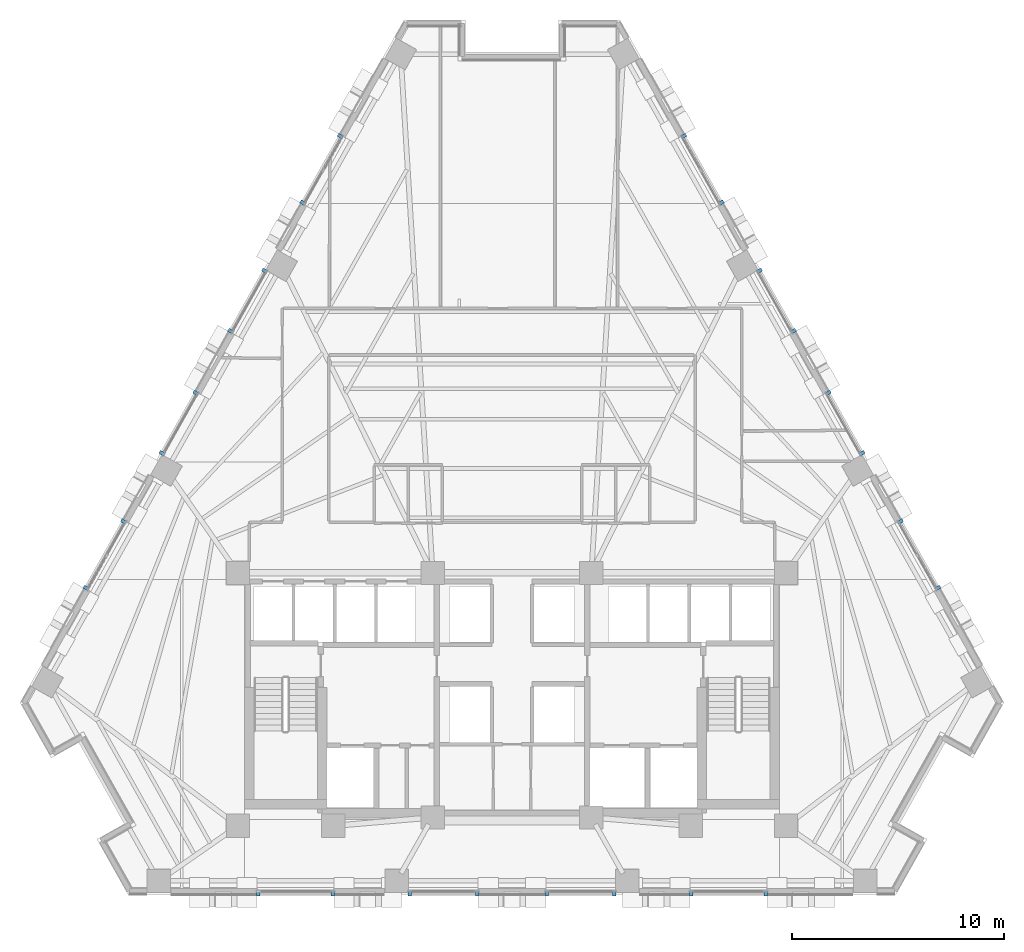
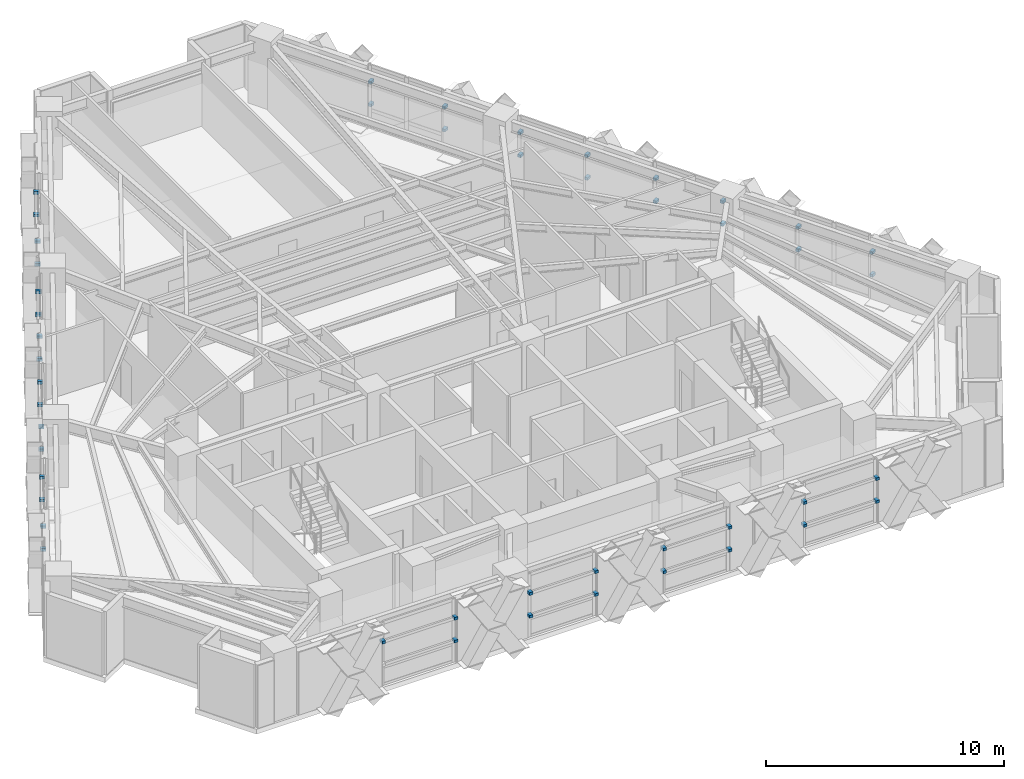
# One storey, part 10 of 14: 47 discrete accessories.
"""IFC4 building model written with IfcOpenShell, lengths in metres."""

from ifc_helpers import new_model, si_unit, direction, frame, origin, origin_2d, place, context, subcontext, project, spatial, rectangle, extrude, material, type_object, element, save


model = new_model("IFC4")

# Units and contexts
model_context = context("Model", 3, precision=1e-05, world=origin(), true_north=direction((0.0, 1.0)))
body_context = subcontext(model_context, "Body", "Model", "MODEL_VIEW")
ifc_project = project(units=[si_unit("LENGTHUNIT", "METRE"), si_unit("AREAUNIT", "SQUARE_METRE"), si_unit("VOLUMEUNIT", "CUBIC_METRE"), si_unit("PLANEANGLEUNIT", "RADIAN"), si_unit("MASSUNIT", "GRAM", prefix="KILO")], contexts=[model_context])

# Site, building, storey
site_placement = place(None, origin())
site = spatial("IfcSite", under=ifc_project, at=site_placement, CompositionType="ELEMENT")
building_placement = place(site_placement, origin())
building = spatial("IfcBuilding", under=site, at=building_placement, Name="Quenlor Broadcast Tower", CompositionType="ELEMENT")
storey_placement = place(building_placement, frame((0.0, 0.0, 80.10009765625)))
storey = spatial("IfcBuildingStorey", under=building, at=storey_placement, Name="L21", CompositionType="ELEMENT", Elevation=80.10009765625)

# Discrete accessories
ifc_material = material(Name="Aluminium 6063-T6", Category="aluminium")
discrete_accessory_type = type_object("IfcDiscreteAccessoryType", Name="Stainless Mullion Baguette Support Bracket", PredefinedType="BRACKET", material=ifc_material)
for number, where, z_axis, x_axis, name in (
    (1, (11.981689453125, -19.93994140625, 1.10009765625), (0.0, 0.0, 1.0), (-1.0, 0.0, 0.0), "L21 Baguette Mullion Bracket 1.1"),
    (2, (8.47119140625, -19.93994140625, 1.10009765625), (0.0, 0.0, 1.0), (-1.0, 0.0, 0.0), "L21 Baguette Mullion Bracket 1.2"),
    (3, (11.981689453125, -19.93994140625, 2.27001953125), (0.0, 0.0, 1.0), (-1.0, 0.0, 0.0), "L21 Baguette Mullion Bracket 2.1"),
    (4, (8.47119140625, -19.93994140625, 2.27001953125), (0.0, 0.0, 1.0), (-1.0, 0.0, 0.0), "L21 Baguette Mullion Bracket 2.2"),
    (5, (-8.47119140625, -19.93994140625, 1.10009765625), (0.0, 0.0, 1.0), (-1.0, 0.0, 0.0), "L21 Baguette Mullion Bracket 1.1"),
    (6, (-8.47119140625, -19.93994140625, 2.27001953125), (0.0, 0.0, 1.0), (-1.0, 0.0, 0.0), "L21 Baguette Mullion Bracket 2.1"),
    (7, (-11.981689453125, -19.93994140625, 2.27001953125), (0.0, 0.0, 1.0), (-1.0, 0.0, 0.0), "L21 Baguette Mullion Bracket 2.2"),
    (8, (4.835693359375, -19.93994140625, 1.10009765625), (0.0, 0.0, 1.0), (-1.0, 0.0, 0.0), "L21 Baguette Mullion Bracket 1.1"),
    (9, (1.653564453125, -19.93994140625, 1.10009765625), (0.0, 0.0, 1.0), (-1.0, 0.0, 0.0), "L21 Baguette Mullion Bracket 1.2"),
    (10, (4.835693359375, -19.93994140625, 2.27001953125), (0.0, 0.0, 1.0), (-1.0, 0.0, 0.0), "L21 Baguette Mullion Bracket 2.1"),
    (11, (1.653564453125, -19.93994140625, 2.27001953125), (0.0, 0.0, 1.0), (-1.0, 0.0, 0.0), "L21 Baguette Mullion Bracket 2.2"),
    (12, (-1.653564453125, -19.93994140625, 1.10009765625), (0.0, 0.0, 1.0), (-1.0, 0.0, 0.0), "L21 Baguette Mullion Bracket 1.1"),
    (13, (-4.835693359375, -19.93994140625, 1.10009765625), (0.0, 0.0, 1.0), (-1.0, 0.0, 0.0), "L21 Baguette Mullion Bracket 1.2"),
    (14, (-1.653564453125, -19.93994140625, 2.27001953125), (0.0, 0.0, 1.0), (-1.0, 0.0, 0.0), "L21 Baguette Mullion Bracket 2.1"),
    (15, (-4.835693359375, -19.93994140625, 2.27001953125), (0.0, 0.0, 1.0), (-1.0, 0.0, 0.0), "L21 Baguette Mullion Bracket 2.2"),
    (16, (8.1181640625, 15.84521484375, 1.10009765625), (0.0, 0.0, 1.0), (0.490264988701, -0.871573428263, 0.0), "L21 Baguette Mullion Bracket 1.1"),
    (17, (9.887939453125, 12.698974609375, 1.10009765625), (0.0, 0.0, 1.0), (0.490264988701, -0.871573428263, 0.0), "L21 Baguette Mullion Bracket 1.2"),
    (18, (8.1181640625, 15.84521484375, 2.27001953125), (0.0, 0.0, 1.0), (0.490264988701, -0.871573428263, 0.0), "L21 Baguette Mullion Bracket 2.1"),
    (19, (9.887939453125, 12.698974609375, 2.27001953125), (0.0, 0.0, 1.0), (0.490264988701, -0.871573428263, 0.0), "L21 Baguette Mullion Bracket 2.2"),
    (20, (18.357421875, -2.35791015625, 1.10009765625), (0.0, 0.0, 1.0), (0.490277158114, -0.871566582787, 0.0), "L21 Baguette Mullion Bracket 1.1"),
    (21, (20.127197265625, -5.504150390625, 1.10009765625), (0.0, 0.0, 1.0), (0.490277158114, -0.871566582787, 0.0), "L21 Baguette Mullion Bracket 1.2"),
    (22, (18.357421875, -2.35791015625, 2.27001953125), (0.0, 0.0, 1.0), (0.490277158114, -0.871566582787, 0.0), "L21 Baguette Mullion Bracket 2.1"),
    (23, (20.127197265625, -5.504150390625, 2.27001953125), (0.0, 0.0, 1.0), (0.490277158114, -0.871566582787, 0.0), "L21 Baguette Mullion Bracket 2.2"),
    (24, (11.69873046875, 9.4794921875, 1.10009765625), (0.0, 0.0, 1.0), (0.490261946333, -0.871575139605, 0.0), "L21 Baguette Mullion Bracket 1.1"),
    (25, (13.301025390625, 6.63134765625, 1.10009765625), (0.0, 0.0, 1.0), (0.490261946333, -0.871575139605, 0.0), "L21 Baguette Mullion Bracket 1.2"),
    (26, (11.69873046875, 9.4794921875, 2.27001953125), (0.0, 0.0, 1.0), (0.490261946333, -0.871575139605, 0.0), "L21 Baguette Mullion Bracket 2.1"),
    (27, (13.301025390625, 6.63134765625, 2.27001953125), (0.0, 0.0, 1.0), (0.490261946333, -0.871575139605, 0.0), "L21 Baguette Mullion Bracket 2.2"),
    (28, (14.9443359375, 3.7099609375, 1.10009765625), (0.0, 0.0, 1.0), (0.490261946333, -0.871575139605, 0.0), "L21 Baguette Mullion Bracket 1.1"),
    (29, (16.54638671875, 0.86181640625, 1.10009765625), (0.0, 0.0, 1.0), (0.490261946333, -0.871575139605, 0.0), "L21 Baguette Mullion Bracket 1.2"),
    (30, (14.9443359375, 3.7099609375, 2.27001953125), (0.0, 0.0, 1.0), (0.490261946333, -0.871575139605, 0.0), "L21 Baguette Mullion Bracket 2.1"),
    (31, (16.54638671875, 0.86181640625, 2.27001953125), (0.0, 0.0, 1.0), (0.490261946333, -0.871575139605, 0.0), "L21 Baguette Mullion Bracket 2.2"),
    (32, (-20.127197265625, -5.504150390625, 1.10009765625), (0.0, 0.0, 1.0), (0.490277158114, 0.871566582787, 0.0), "L21 Baguette Mullion Bracket 1.1"),
    (33, (-18.357421875, -2.35791015625, 1.10009765625), (0.0, 0.0, 1.0), (0.490277158114, 0.871566582787, 0.0), "L21 Baguette Mullion Bracket 1.2"),
    (34, (-20.127197265625, -5.504150390625, 2.27001953125), (0.0, 0.0, 1.0), (0.490277158114, 0.871566582787, 0.0), "L21 Baguette Mullion Bracket 2.1"),
    (35, (-18.357421875, -2.35791015625, 2.27001953125), (0.0, 0.0, 1.0), (0.490277158114, 0.871566582787, 0.0), "L21 Baguette Mullion Bracket 2.2"),
    (36, (-9.887939453125, 12.698974609375, 1.10009765625), (0.0, 0.0, 1.0), (0.490264988701, 0.871573428263, 0.0), "L21 Baguette Mullion Bracket 1.1"),
    (37, (-8.1181640625, 15.84521484375, 1.10009765625), (0.0, 0.0, 1.0), (0.490264988701, 0.871573428263, 0.0), "L21 Baguette Mullion Bracket 1.2"),
    (38, (-9.887939453125, 12.698974609375, 2.27001953125), (0.0, 0.0, 1.0), (0.490264988701, 0.871573428263, 0.0), "L21 Baguette Mullion Bracket 2.1"),
    (39, (-8.1181640625, 15.84521484375, 2.27001953125), (0.0, 0.0, 1.0), (0.490264988701, 0.871573428263, 0.0), "L21 Baguette Mullion Bracket 2.2"),
    (40, (-16.54638671875, 0.86181640625, 1.10009765625), (0.0, 0.0, 1.0), (0.490261946333, 0.871575139605, 0.0), "L21 Baguette Mullion Bracket 1.1"),
    (41, (-14.9443359375, 3.7099609375, 1.10009765625), (0.0, 0.0, 1.0), (0.490261946333, 0.871575139605, 0.0), "L21 Baguette Mullion Bracket 1.2"),
    (42, (-16.54638671875, 0.86181640625, 2.27001953125), (0.0, 0.0, 1.0), (0.490261946333, 0.871575139605, 0.0), "L21 Baguette Mullion Bracket 2.1"),
    (43, (-14.9443359375, 3.7099609375, 2.27001953125), (0.0, 0.0, 1.0), (0.490261946333, 0.871575139605, 0.0), "L21 Baguette Mullion Bracket 2.2"),
    (44, (-13.301025390625, 6.63134765625, 1.10009765625), (0.0, 0.0, 1.0), (0.490261946333, 0.871575139605, 0.0), "L21 Baguette Mullion Bracket 1.1"),
    (45, (-11.69873046875, 9.4794921875, 1.10009765625), (0.0, 0.0, 1.0), (0.490261946333, 0.871575139605, 0.0), "L21 Baguette Mullion Bracket 1.2"),
    (46, (-13.301025390625, 6.63134765625, 2.27001953125), (0.0, 0.0, 1.0), (0.490261946333, 0.871575139605, 0.0), "L21 Baguette Mullion Bracket 2.1"),
    (47, (-11.69873046875, 9.4794921875, 2.27001953125), (0.0, 0.0, 1.0), (0.490261946333, 0.871575139605, 0.0), "L21 Baguette Mullion Bracket 2.2"),
):
    element("IfcDiscreteAccessory", number, at=place(storey_placement, frame(where, z_axis=z_axis, x_axis=x_axis)), inside=storey, type_object=discrete_accessory_type, Name=name, PredefinedType="BRACKET", context=body_context, shape_type="SweptSolid", body=[
        extrude(rectangle(XDim=0.159912109375, YDim=0.239990234375, at=origin_2d()), origin(), (0.0, 0.0, 1.0), 0.139892578125),
    ])

save(model, "model.ifc")
